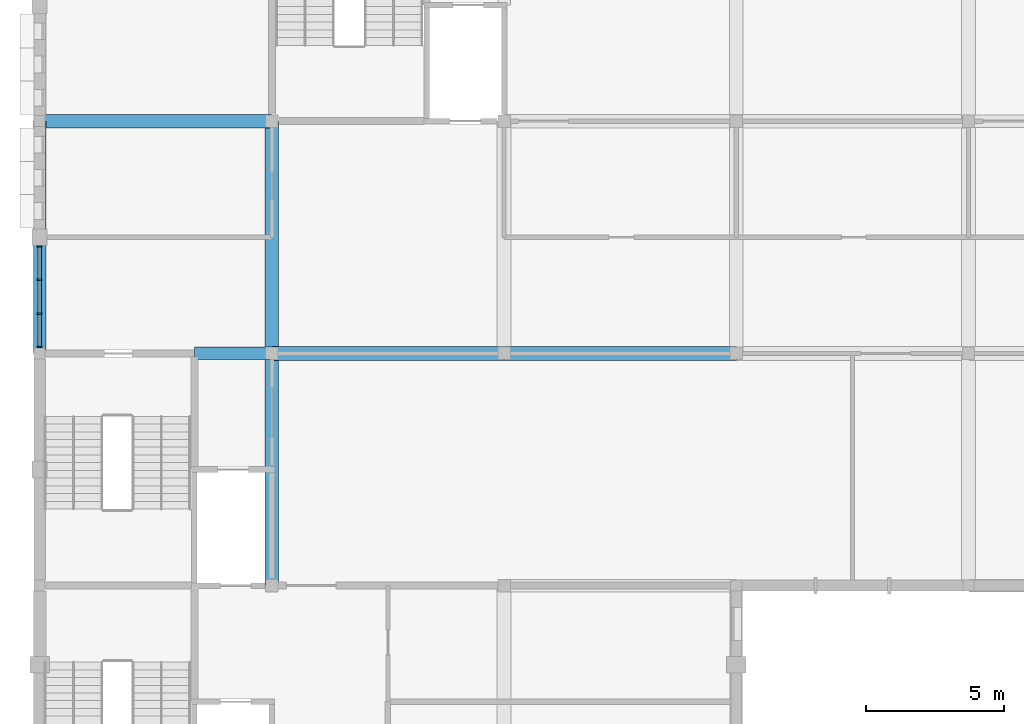
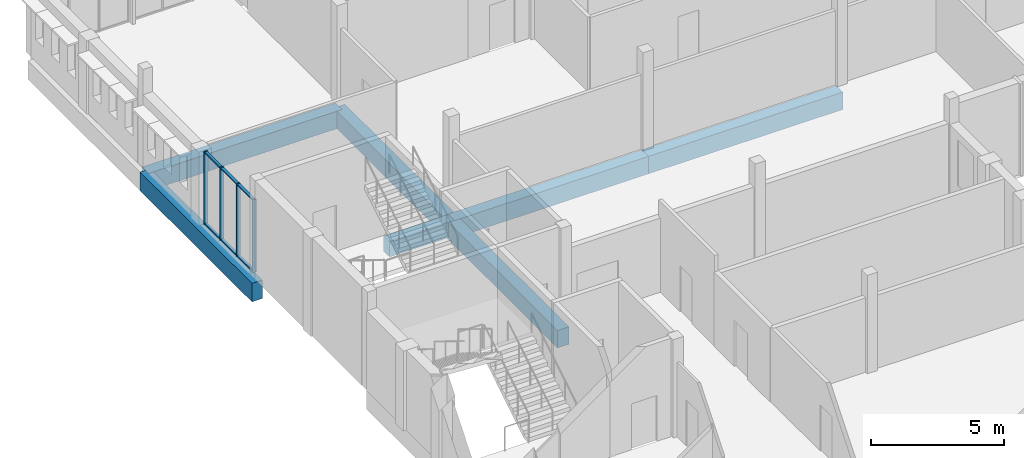
# One storey, part 7 of 30: 10 members, 7 beams, 1 element without a shape of its own.
"""IFC4 building model written with IfcOpenShell, lengths in metres."""

from ifc_helpers import new_model, si_unit, direction, frame, origin, origin_2d, place, context, subcontext, project, spatial, rectangle, extrude, material, material_profile, profile_set, type_object, element, aggregate, save


model = new_model("IFC4")

# Units and contexts
model_context = context("Model", 3, precision=1e-05, world=origin(), true_north=direction((0.0, 1.0)))
body_context = subcontext(model_context, "Body", "Model", "MODEL_VIEW")
ifc_project = project(units=[si_unit("LENGTHUNIT", "METRE"), si_unit("AREAUNIT", "SQUARE_METRE"), si_unit("VOLUMEUNIT", "CUBIC_METRE"), si_unit("PLANEANGLEUNIT", "RADIAN"), si_unit("MASSUNIT", "GRAM", prefix="KILO")], contexts=[model_context])

# Site, building, storey
site_placement = place(None, origin())
site = spatial("IfcSite", under=ifc_project, at=site_placement, CompositionType="ELEMENT")
building_placement = place(site_placement, origin())
building = spatial("IfcBuilding", under=site, at=building_placement, Name="Fescue Hill Polytechnic", CompositionType="ELEMENT")
storey_placement = place(building_placement, frame((0.0, 0.0, 22.5)))
storey = spatial("IfcBuildingStorey", under=building, at=storey_placement, Name="L05", CompositionType="ELEMENT", Elevation=22.5)

# Beams
ifc_material_1 = material(Name="Concrete 35 MPa", Category="concrete")
ifc_material_profile_1 = material_profile(ifc_material_1, rectangle(XDim=0.449951171875, YDim=0.699951171875, at=origin_2d()), Name="RC 450x700")
ifc_profile_set_1 = profile_set([ifc_material_profile_1], Name="Concrete 35 MPa")
beam_type_1 = type_object("IfcBeamType", Name="Beam RC 450x700", PredefinedType="BEAM", material=ifc_profile_set_1)
beam_1_placement = place(storey_placement, frame((5.60009765625, 117.60009765625, -0.64990234375), z_axis=(1.0, 0.0, 0.0), x_axis=(0.0, 1.0, 0.0)))
element("IfcBeam", 1, at=beam_1_placement, inside=storey, type_object=beam_type_1, Name="BM-L05-0015", PredefinedType="BEAM", context=body_context, shape_type="SweptSolid", body=[
    extrude(rectangle(XDim=0.449951171875, YDim=0.699951171875, at=origin_2d()), origin(), (0.0, 0.0, 1.0), 2.789794921875),
])
ifc_material_profile_2 = material_profile(ifc_material_1, rectangle(XDim=0.449951171875, YDim=0.85009765625, at=origin_2d()), Name="RC 450x850")
ifc_profile_set_2 = profile_set([ifc_material_profile_2], Name="Concrete 35 MPa")
beam_type_2 = type_object("IfcBeamType", Name="Beam RC 450x850", PredefinedType="BEAM", material=ifc_profile_set_2)
beam_2_placement = place(storey_placement, frame((0.0, 117.60009765625, -0.72509765625), z_axis=(0.0, 1.0, 0.0), x_axis=(-1.0, 0.0, 0.0)))
element("IfcBeam", 2, at=beam_2_placement, inside=storey, type_object=beam_type_2, Name="BM-L05-0006", PredefinedType="BEAM", context=body_context, shape_type="SweptSolid", body=[
    extrude(rectangle(XDim=0.449951171875, YDim=0.85009765625, at=origin_2d()), origin(), (0.0, 0.0, 1.0), 8.39990234375),
])
ifc_material_profile_3 = material_profile(ifc_material_1, rectangle(XDim=0.5, YDim=0.800048828125, at=origin_2d()), Name="RC 500x800")
ifc_profile_set_3 = profile_set([ifc_material_profile_3], Name="Concrete 35 MPa")
beam_type_3 = type_object("IfcBeamType", Name="Beam RC 500x800", PredefinedType="BEAM", material=ifc_profile_set_3)
beam_3_placement = place(storey_placement, frame((0.010009765625, 126.0, -0.699951171875), z_axis=(1.0, 0.0, 0.0), x_axis=(0.0, 1.0, 0.0)))
element("IfcBeam", 3, at=beam_3_placement, inside=storey, type_object=beam_type_3, Name="BM-L05-0012", PredefinedType="BEAM", context=body_context, shape_type="SweptSolid", body=[
    extrude(rectangle(XDim=0.5, YDim=0.800048828125, at=origin_2d()), origin(), (0.0, 0.0, 1.0), 8.3798828125),
])
beam_4_placement = place(storey_placement, frame((8.39990234375, 109.199951171875, -0.699951171875), z_axis=(0.0, 1.0, 0.0), x_axis=(-1.0, 0.0, 0.0)))
element("IfcBeam", 4, at=beam_4_placement, inside=storey, type_object=beam_type_3, Name="BM-L05-0022", PredefinedType="BEAM", context=body_context, shape_type="SweptSolid", body=[
    extrude(rectangle(XDim=0.5, YDim=0.800048828125, at=origin_2d()), origin(), (0.0, 0.0, 1.0), 8.400146484375),
])
beam_5_placement = place(storey_placement, frame((8.39990234375, 117.60009765625, -0.699951171875), z_axis=(0.0, 1.0, 0.0), x_axis=(-1.0, 0.0, 0.0)))
element("IfcBeam", 5, at=beam_5_placement, inside=storey, type_object=beam_type_3, Name="BM-L05-0023", PredefinedType="BEAM", context=body_context, shape_type="SweptSolid", body=[
    extrude(rectangle(XDim=0.5, YDim=0.800048828125, at=origin_2d()), origin(), (0.0, 0.0, 1.0), 8.39990234375),
])
beam_6_placement = place(storey_placement, frame((8.409912109375, 117.60009765625, -0.699951171875), z_axis=(1.0, 0.0, 0.0), x_axis=(0.0, 1.0, 0.0)))
element("IfcBeam", 6, at=beam_6_placement, inside=storey, type_object=beam_type_3, Name="BM-L05-0030", PredefinedType="BEAM", context=body_context, shape_type="SweptSolid", body=[
    extrude(rectangle(XDim=0.5, YDim=0.800048828125, at=origin_2d()), origin(), (0.0, 0.0, 1.0), 8.39013671875),
])
beam_7_placement = place(storey_placement, frame((16.800048828125, 117.60009765625, -0.699951171875), z_axis=(1.0, 0.0, 0.0), x_axis=(0.0, 1.0, 0.0)))
element("IfcBeam", 7, at=beam_7_placement, inside=storey, type_object=beam_type_3, Name="BM-L05-0041", PredefinedType="BEAM", context=body_context, shape_type="SweptSolid", body=[
    extrude(rectangle(XDim=0.5, YDim=0.800048828125, at=origin_2d()), origin(), (0.0, 0.0, 1.0), 8.39990234375),
])

# Curtain wall, members
ifc_material_2 = material(Name="Glass", Category="glass")
curtain_wall_type = type_object("IfcCurtainWallType", Name="Curtain wall structural glazing", PredefinedType="NOTDEFINED", material=ifc_material_2)
curtain_wall_placement = place(storey_placement, origin())
curtain_wall = element("IfcCurtainWall", 8, at=curtain_wall_placement, inside=storey, type_object=curtain_wall_type, Name="CW-L05-V5-X1", PredefinedType="NOTDEFINED")
ifc_material_3 = material(Name="Powder-coated aluminium", Category="aluminium")
ifc_material_profile_4 = material_profile(ifc_material_3, rectangle(XDim=0.159912109375, YDim=0.06005859375, at=origin_2d()), Name="Mullion aluminium 60x160")
ifc_profile_set_4 = profile_set([ifc_material_profile_4], Name="Powder-coated aluminium")
member_type_1 = type_object("IfcMemberType", Name="Mullion aluminium 60x160", PredefinedType="MULLION", material=ifc_profile_set_4)
member_1_placement = place(storey_placement, frame((0.0, 121.469970703125, 0.0), z_axis=(0.0, 0.0, 1.0), x_axis=(1.0, 0.0, 0.0)))
member_1 = element("IfcMember", 9, at=member_1_placement, type_object=member_type_1, Name="CW148 mullion 1", PredefinedType="MULLION", context=body_context, shape_type="SweptSolid", body=[
    extrude(rectangle(XDim=0.159912109375, YDim=0.06005859375, at=origin_2d()), origin(), (0.0, 0.0, 1.0), 3.330078125),
])
member_2_placement = place(storey_placement, frame((0.0, 120.2666015625, 0.0), z_axis=(0.0, 0.0, 1.0), x_axis=(1.0, 0.0, 0.0)))
member_2 = element("IfcMember", 10, at=member_2_placement, type_object=member_type_1, Name="CW148 mullion 2", PredefinedType="MULLION", context=body_context, shape_type="SweptSolid", body=[
    extrude(rectangle(XDim=0.159912109375, YDim=0.06005859375, at=origin_2d()), origin(), (0.0, 0.0, 1.0), 3.330078125),
])
member_3_placement = place(storey_placement, frame((0.0, 119.033447265625, 0.0), z_axis=(0.0, 0.0, 1.0), x_axis=(1.0, 0.0, 0.0)))
member_3 = element("IfcMember", 11, at=member_3_placement, type_object=member_type_1, Name="CW148 mullion 3", PredefinedType="MULLION", context=body_context, shape_type="SweptSolid", body=[
    extrude(rectangle(XDim=0.159912109375, YDim=0.06005859375, at=origin_2d()), origin(), (0.0, 0.0, 1.0), 3.330078125),
])
member_4_placement = place(storey_placement, frame((0.0, 117.830078125, 0.0), z_axis=(0.0, 0.0, 1.0), x_axis=(1.0, 0.0, 0.0)))
member_4 = element("IfcMember", 12, at=member_4_placement, type_object=member_type_1, Name="CW148 mullion 4", PredefinedType="MULLION", context=body_context, shape_type="SweptSolid", body=[
    extrude(rectangle(XDim=0.159912109375, YDim=0.06005859375, at=origin_2d()), origin(), (0.0, 0.0, 1.0), 3.330078125),
])
ifc_material_profile_5 = material_profile(ifc_material_3, rectangle(XDim=0.1201171875, YDim=0.06005859375, at=origin_2d()), Name="Transom aluminium 60x120")
ifc_profile_set_5 = profile_set([ifc_material_profile_5], Name="Powder-coated aluminium")
member_type_2 = type_object("IfcMemberType", Name="Transom aluminium 60x120", PredefinedType="USERDEFINED", material=ifc_profile_set_5)
member_5_placement = place(storey_placement, frame((0.0, 121.43994140625, 0.030029296875), z_axis=(0.0, -1.0, 0.0), x_axis=(1.0, 0.0, 0.0)))
member_5 = element("IfcMember", 13, at=member_5_placement, type_object=member_type_2, Name="CW148 transom 1.1", ObjectType="TRANSOM", PredefinedType="USERDEFINED", context=body_context, shape_type="SweptSolid", body=[
    extrude(rectangle(XDim=0.1201171875, YDim=0.06005859375, at=origin_2d()), origin(), (0.0, 0.0, 1.0), 1.143310546875),
])
member_6_placement = place(storey_placement, frame((0.0, 121.43994140625, 3.300048828125), z_axis=(0.0, -1.0, 0.0), x_axis=(1.0, 0.0, 0.0)))
member_6 = element("IfcMember", 14, at=member_6_placement, type_object=member_type_2, Name="CW148 transom 1.2", ObjectType="TRANSOM", PredefinedType="USERDEFINED", context=body_context, shape_type="SweptSolid", body=[
    extrude(rectangle(XDim=0.1201171875, YDim=0.06005859375, at=origin_2d()), origin(), (0.0, 0.0, 1.0), 1.143310546875),
])
member_7_placement = place(storey_placement, frame((0.0, 120.236572265625, 0.030029296875), z_axis=(0.0, -1.0, 0.0), x_axis=(1.0, 0.0, 0.0)))
member_7 = element("IfcMember", 15, at=member_7_placement, type_object=member_type_2, Name="CW148 transom 2.1", ObjectType="TRANSOM", PredefinedType="USERDEFINED", context=body_context, shape_type="SweptSolid", body=[
    extrude(rectangle(XDim=0.1201171875, YDim=0.06005859375, at=origin_2d()), origin(), (0.0, 0.0, 1.0), 1.17333984375),
])
member_8_placement = place(storey_placement, frame((0.0, 120.236572265625, 3.300048828125), z_axis=(0.0, -1.0, 0.0), x_axis=(1.0, 0.0, 0.0)))
member_8 = element("IfcMember", 16, at=member_8_placement, type_object=member_type_2, Name="CW148 transom 2.2", ObjectType="TRANSOM", PredefinedType="USERDEFINED", context=body_context, shape_type="SweptSolid", body=[
    extrude(rectangle(XDim=0.1201171875, YDim=0.06005859375, at=origin_2d()), origin(), (0.0, 0.0, 1.0), 1.17333984375),
])
member_9_placement = place(storey_placement, frame((0.0, 119.00341796875, 0.030029296875), z_axis=(0.0, -1.0, 0.0), x_axis=(1.0, 0.0, 0.0)))
member_9 = element("IfcMember", 17, at=member_9_placement, type_object=member_type_2, Name="CW148 transom 3.1", ObjectType="TRANSOM", PredefinedType="USERDEFINED", context=body_context, shape_type="SweptSolid", body=[
    extrude(rectangle(XDim=0.1201171875, YDim=0.06005859375, at=origin_2d()), origin(), (0.0, 0.0, 1.0), 1.143310546875),
])
member_10_placement = place(storey_placement, frame((0.0, 119.00341796875, 3.300048828125), z_axis=(0.0, -1.0, 0.0), x_axis=(1.0, 0.0, 0.0)))
member_10 = element("IfcMember", 18, at=member_10_placement, type_object=member_type_2, Name="CW148 transom 3.2", ObjectType="TRANSOM", PredefinedType="USERDEFINED", context=body_context, shape_type="SweptSolid", body=[
    extrude(rectangle(XDim=0.1201171875, YDim=0.06005859375, at=origin_2d()), origin(), (0.0, 0.0, 1.0), 1.143310546875),
])
aggregate(curtain_wall, [member_1, member_2, member_3, member_4, member_5, member_6, member_7, member_8, member_9, member_10])

save(model, "model.ifc")
